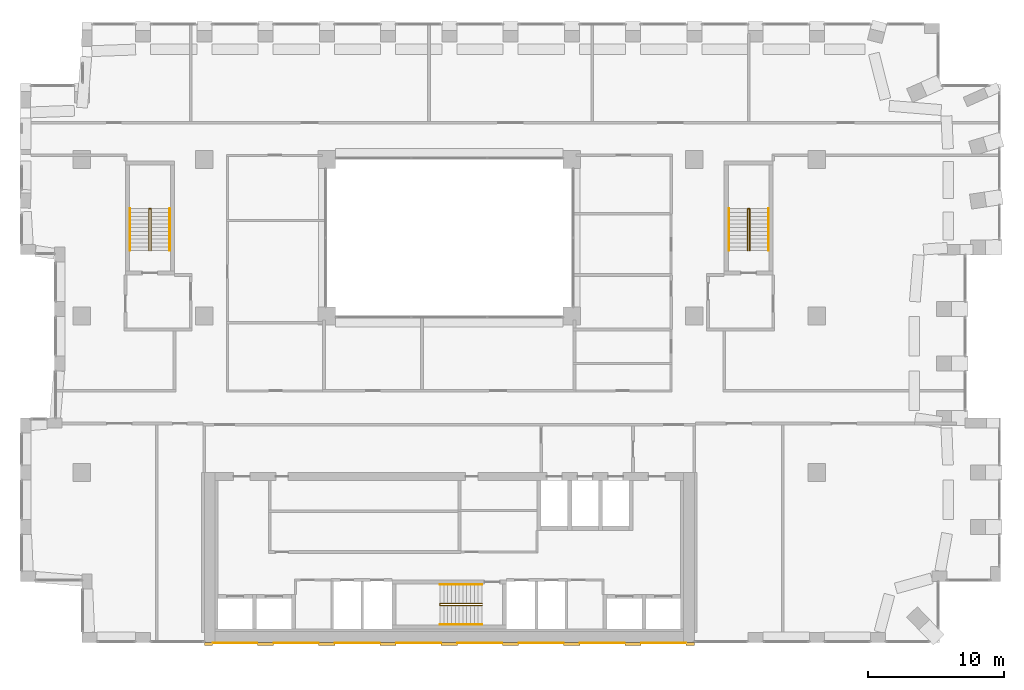
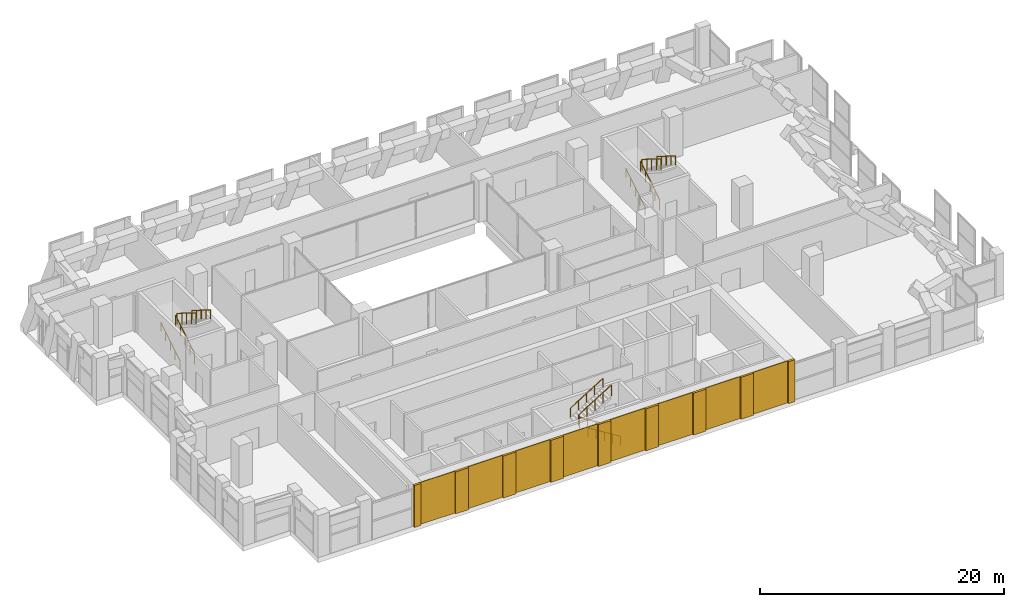
# One storey, part 20 of 20: 17 coverings, 9 railings.
"""IFC4 building model written with IfcOpenShell, lengths in metres."""

from ifc_helpers import new_model, si_unit, direction, frame, origin, origin_2d, place, context, subcontext, project, spatial, rectangle, circle, extrude, material, layer, layer_set, type_object, element, save


model = new_model("IFC4")

# Units and contexts
model_context = context("Model", 3, precision=1e-05, world=origin(), true_north=direction((0.0, 1.0)))
body_context = subcontext(model_context, "Body", "Model", "MODEL_VIEW")
ifc_project = project(units=[si_unit("LENGTHUNIT", "METRE"), si_unit("AREAUNIT", "SQUARE_METRE"), si_unit("VOLUMEUNIT", "CUBIC_METRE"), si_unit("PLANEANGLEUNIT", "RADIAN"), si_unit("MASSUNIT", "GRAM", prefix="KILO")], contexts=[model_context])

# Site, building, storey
site_placement = place(None, origin())
site = spatial("IfcSite", under=ifc_project, at=site_placement, CompositionType="ELEMENT")
building_placement = place(site_placement, origin())
building = spatial("IfcBuilding", under=site, at=building_placement, Name="Brigalow Station Residences", CompositionType="ELEMENT")
storey_placement = place(building_placement, frame((0.0, 0.0, 137.10009765625)))
storey = spatial("IfcBuildingStorey", under=building, at=storey_placement, Name="L39", CompositionType="ELEMENT", Elevation=137.10009765625)

# Coverings
ifc_material_1 = material(Name="Clay brick masonry", Category="masonry")
ifc_layer_1 = layer(ifc_material_1, 0.06005859375)
ifc_layer_set_1 = layer_set([ifc_layer_1], Name="BRICK PANEL FACING 60")
covering_type_1 = type_object("IfcCoveringType", Name="BRICK PANEL FACING 60", PredefinedType="CLADDING", material=ifc_layer_set_1)
for number, where, z_axis, x_axis, name in (
    (1, (20.25, -0.030029296875, 0.0), (0.0, 0.0, 1.0), (1.0, 0.0, 0.0), "L39/rear-facing/panel-1"),
    (2, (24.75, -0.030029296875, 0.0), (0.0, 0.0, 1.0), (1.0, 0.0, 0.0), "L39/rear-facing/panel-2"),
    (3, (29.25, -0.030029296875, 0.0), (0.0, 0.0, 1.0), (1.0, 0.0, 0.0), "L39/rear-facing/panel-3"),
    (4, (33.75, -0.030029296875, 0.0), (0.0, 0.0, 1.0), (1.0, 0.0, 0.0), "L39/rear-facing/panel-4"),
    (5, (38.25, -0.030029296875, 0.0), (0.0, 0.0, 1.0), (1.0, 0.0, 0.0), "L39/rear-facing/panel-5"),
    (6, (42.75, -0.030029296875, 0.0), (0.0, 0.0, 1.0), (1.0, 0.0, 0.0), "L39/rear-facing/panel-6"),
    (7, (47.25, -0.030029296875, 0.0), (0.0, 0.0, 1.0), (1.0, 0.0, 0.0), "L39/rear-facing/panel-7"),
    (8, (51.75, -0.030029296875, 0.0), (0.0, 0.0, 1.0), (1.0, 0.0, 0.0), "L39/rear-facing/panel-8"),
):
    element("IfcCovering", number, at=place(storey_placement, frame(where, z_axis=z_axis, x_axis=x_axis)), inside=storey, type_object=covering_type_1, Name=name, PredefinedType="CLADDING", context=body_context, shape_type="SweptSolid", body=[
        extrude(rectangle(XDim=3.300048828125, YDim=0.06005859375, at=origin_2d()), origin(), (0.0, 0.0, 1.0), 4.199951171875),
    ])
ifc_material_2 = material(Name="Clay brick masonry", Category="masonry")
ifc_layer_2 = layer(ifc_material_2, 0.199951171875)
ifc_layer_set_2 = layer_set([ifc_layer_2], Name="BRICK PIER FACING 200")
covering_type_2 = type_object("IfcCoveringType", Name="BRICK PIER FACING 200", PredefinedType="CLADDING", material=ifc_layer_set_2)
covering_1_placement = place(storey_placement, frame((18.300048828125, -0.10009765625, 0.0), z_axis=(0.0, 0.0, 1.0), x_axis=(1.0, 0.0, 0.0)))
element("IfcCovering", 9, at=covering_1_placement, inside=storey, type_object=covering_type_2, Name="L39/rear-facing/pier-1", PredefinedType="CLADDING", context=body_context, shape_type="SweptSolid", body=[
    extrude(rectangle(XDim=0.60009765625, YDim=0.199951171875, at=origin_2d()), origin(), (0.0, 0.0, 1.0), 4.199951171875),
])
for number, where, z_axis, x_axis, name in (
    (10, (22.5, -0.10009765625, 0.0), (0.0, 0.0, 1.0), (1.0, 0.0, 0.0), "L39/rear-facing/pier-2"),
    (11, (27.0, -0.10009765625, 0.0), (0.0, 0.0, 1.0), (1.0, 0.0, 0.0), "L39/rear-facing/pier-3"),
    (12, (31.5, -0.10009765625, 0.0), (0.0, 0.0, 1.0), (1.0, 0.0, 0.0), "L39/rear-facing/pier-4"),
    (13, (36.0, -0.10009765625, 0.0), (0.0, 0.0, 1.0), (1.0, 0.0, 0.0), "L39/rear-facing/pier-5"),
    (14, (40.5, -0.10009765625, 0.0), (0.0, 0.0, 1.0), (1.0, 0.0, 0.0), "L39/rear-facing/pier-6"),
    (15, (45.0, -0.10009765625, 0.0), (0.0, 0.0, 1.0), (1.0, 0.0, 0.0), "L39/rear-facing/pier-7"),
    (16, (49.5, -0.10009765625, 0.0), (0.0, 0.0, 1.0), (1.0, 0.0, 0.0), "L39/rear-facing/pier-8"),
):
    element("IfcCovering", number, at=place(storey_placement, frame(where, z_axis=z_axis, x_axis=x_axis)), inside=storey, type_object=covering_type_2, Name=name, PredefinedType="CLADDING", context=body_context, shape_type="SweptSolid", body=[
        extrude(rectangle(XDim=1.199951171875, YDim=0.199951171875, at=origin_2d()), origin(), (0.0, 0.0, 1.0), 4.199951171875),
    ])
covering_2_placement = place(storey_placement, frame((53.699951171875, -0.10009765625, 0.0), z_axis=(0.0, 0.0, 1.0), x_axis=(1.0, 0.0, 0.0)))
element("IfcCovering", 17, at=covering_2_placement, inside=storey, type_object=covering_type_2, Name="L39/rear-facing/pier-9", PredefinedType="CLADDING", context=body_context, shape_type="SweptSolid", body=[
    extrude(rectangle(XDim=0.60009765625, YDim=0.199951171875, at=origin_2d()), origin(), (0.0, 0.0, 1.0), 4.199951171875),
])

# Railings
ifc_material_3 = material(Name="Stainless steel balustrade", Category="steel")
railing_type_1 = type_object("IfcRailingType", Name="STAIR GUARD 1100", PredefinedType="GUARDRAIL", material=ifc_material_3)
railing_1_placement = place(storey_placement, frame((38.39990234375, 2.72998046875, 0.1748046875)))
element("IfcRailing", 18, at=railing_1_placement, inside=storey, type_object=railing_type_1, Name="GUARD GR-2", PredefinedType="GUARDRAIL", context=body_context, shape_type="SweptSolid", body=[
    extrude(circle(Radius=0.02392578125, at=origin_2d()), frame((0.0, 0.0, 1.076171875), z_axis=(-0.847979421464, 0.0, 0.530029150871), x_axis=(0.0, -1.0, 0.0)), (0.0, 0.0, 1.0), 3.632080078125),
    extrude(circle(Radius=0.02392578125, at=origin_2d()), frame((-3.079833984375, 0.0, 3.0009765625), z_axis=(0.0, 0.624960567888, 0.780656319122), x_axis=(-1.0, 0.0, 0.0)), (0.0, 0.0, 1.0), 0.22412109375),
    extrude(circle(Radius=0.02392578125, at=origin_2d()), frame((-3.079833984375, 0.14013671875, 3.17626953125), z_axis=(0.847979421464, 0.0, 0.530029150871), x_axis=(0.0, 1.0, 0.0)), (0.0, 0.0, 1.0), 3.632080078125),
    extrude(circle(Radius=0.02099609375, at=origin_2d()), origin(), (0.0, 0.0, 1.0), 1.052001953125),
    extrude(circle(Radius=0.02099609375, at=origin_2d()), frame((-0.77001953125, 0.0, 0.481201171875)), (0.0, 0.0, 1.0), 1.052001953125),
    extrude(circle(Radius=0.02099609375, at=origin_2d()), frame((-1.5400390625, 0.0, 0.96240234375)), (0.0, 0.0, 1.0), 1.052001953125),
    extrude(circle(Radius=0.02099609375, at=origin_2d()), frame((-2.309814453125, 0.0, 1.44384765625)), (0.0, 0.0, 1.0), 1.052001953125),
    extrude(circle(Radius=0.02099609375, at=origin_2d()), frame((-3.079833984375, 0.0, 1.925048828125)), (0.0, 0.0, 1.0), 1.052001953125),
    extrude(circle(Radius=0.02099609375, at=origin_2d()), frame((-3.079833984375, 0.14013671875, 2.10009765625)), (0.0, 0.0, 1.0), 1.052001953125),
    extrude(circle(Radius=0.02099609375, at=origin_2d()), frame((-2.309814453125, 0.14013671875, 2.581298828125)), (0.0, 0.0, 1.0), 1.052001953125),
    extrude(circle(Radius=0.02099609375, at=origin_2d()), frame((-1.5400390625, 0.14013671875, 3.0625)), (0.0, 0.0, 1.0), 1.052001953125),
    extrude(circle(Radius=0.02099609375, at=origin_2d()), frame((-0.77001953125, 0.14013671875, 3.5439453125)), (0.0, 0.0, 1.0), 1.052001953125),
    extrude(circle(Radius=0.02099609375, at=origin_2d()), frame((0.0, 0.14013671875, 4.025146484375)), (0.0, 0.0, 1.0), 1.052001953125),
])
railing_2_placement = place(storey_placement, frame((13.929931640625, 28.800048828125, 0.1748046875)))
element("IfcRailing", 19, at=railing_2_placement, inside=storey, type_object=railing_type_1, Name="GUARD GR-1", PredefinedType="GUARDRAIL", context=body_context, shape_type="SweptSolid", body=[
    extrude(circle(Radius=0.02392578125, at=origin_2d()), frame((0.0, 0.0, 1.076171875), z_axis=(0.0, 0.847979421464, 0.530029150871), x_axis=(-1.0, 0.0, 0.0)), (0.0, 0.0, 1.0), 3.632080078125),
    extrude(circle(Radius=0.02392578125, at=origin_2d()), frame((0.0, 3.079833984375, 3.0009765625), z_axis=(0.624960567888, 0.0, 0.780656319122), x_axis=(0.0, 1.0, 0.0)), (0.0, 0.0, 1.0), 0.22412109375),
    extrude(circle(Radius=0.02392578125, at=origin_2d()), frame((0.14013671875, 3.079833984375, 3.17626953125), z_axis=(0.0, -0.847979421464, 0.530029150871), x_axis=(1.0, 0.0, 0.0)), (0.0, 0.0, 1.0), 3.632080078125),
    extrude(circle(Radius=0.02099609375, at=origin_2d()), origin(), (0.0, 0.0, 1.0), 1.052001953125),
    extrude(circle(Radius=0.02099609375, at=origin_2d()), frame((0.0, 0.77001953125, 0.481201171875)), (0.0, 0.0, 1.0), 1.052001953125),
    extrude(circle(Radius=0.02099609375, at=origin_2d()), frame((0.0, 1.5400390625, 0.96240234375)), (0.0, 0.0, 1.0), 1.052001953125),
    extrude(circle(Radius=0.02099609375, at=origin_2d()), frame((0.0, 2.309814453125, 1.44384765625)), (0.0, 0.0, 1.0), 1.052001953125),
    extrude(circle(Radius=0.02099609375, at=origin_2d()), frame((0.0, 3.079833984375, 1.925048828125)), (0.0, 0.0, 1.0), 1.052001953125),
    extrude(circle(Radius=0.02099609375, at=origin_2d()), frame((0.14013671875, 3.079833984375, 2.10009765625)), (0.0, 0.0, 1.0), 1.052001953125),
    extrude(circle(Radius=0.02099609375, at=origin_2d()), frame((0.14013671875, 2.309814453125, 2.581298828125)), (0.0, 0.0, 1.0), 1.052001953125),
    extrude(circle(Radius=0.02099609375, at=origin_2d()), frame((0.14013671875, 1.5400390625, 3.0625)), (0.0, 0.0, 1.0), 1.052001953125),
    extrude(circle(Radius=0.02099609375, at=origin_2d()), frame((0.14013671875, 0.77001953125, 3.5439453125)), (0.0, 0.0, 1.0), 1.052001953125),
    extrude(circle(Radius=0.02099609375, at=origin_2d()), frame((0.14013671875, 0.0, 4.025146484375)), (0.0, 0.0, 1.0), 1.052001953125),
])
railing_3_placement = place(storey_placement, frame((57.929931640625, 28.800048828125, 0.1748046875)))
element("IfcRailing", 20, at=railing_3_placement, inside=storey, type_object=railing_type_1, Name="GUARD GR-3", PredefinedType="GUARDRAIL", context=body_context, shape_type="SweptSolid", body=[
    extrude(circle(Radius=0.02392578125, at=origin_2d()), frame((0.0, 0.0, 1.076171875), z_axis=(0.0, 0.847979421464, 0.530029150871), x_axis=(-1.0, 0.0, 0.0)), (0.0, 0.0, 1.0), 3.632080078125),
    extrude(circle(Radius=0.02392578125, at=origin_2d()), frame((0.0, 3.079833984375, 3.0009765625), z_axis=(0.624960567888, 0.0, 0.780656319122), x_axis=(0.0, 1.0, 0.0)), (0.0, 0.0, 1.0), 0.22412109375),
    extrude(circle(Radius=0.02392578125, at=origin_2d()), frame((0.14013671875, 3.079833984375, 3.17626953125), z_axis=(0.0, -0.847979421464, 0.530029150871), x_axis=(1.0, 0.0, 0.0)), (0.0, 0.0, 1.0), 3.632080078125),
    extrude(circle(Radius=0.02099609375, at=origin_2d()), origin(), (0.0, 0.0, 1.0), 1.052001953125),
    extrude(circle(Radius=0.02099609375, at=origin_2d()), frame((0.0, 0.77001953125, 0.481201171875)), (0.0, 0.0, 1.0), 1.052001953125),
    extrude(circle(Radius=0.02099609375, at=origin_2d()), frame((0.0, 1.5400390625, 0.96240234375)), (0.0, 0.0, 1.0), 1.052001953125),
    extrude(circle(Radius=0.02099609375, at=origin_2d()), frame((0.0, 2.309814453125, 1.44384765625)), (0.0, 0.0, 1.0), 1.052001953125),
    extrude(circle(Radius=0.02099609375, at=origin_2d()), frame((0.0, 3.079833984375, 1.925048828125)), (0.0, 0.0, 1.0), 1.052001953125),
    extrude(circle(Radius=0.02099609375, at=origin_2d()), frame((0.14013671875, 3.079833984375, 2.10009765625)), (0.0, 0.0, 1.0), 1.052001953125),
    extrude(circle(Radius=0.02099609375, at=origin_2d()), frame((0.14013671875, 2.309814453125, 2.581298828125)), (0.0, 0.0, 1.0), 1.052001953125),
    extrude(circle(Radius=0.02099609375, at=origin_2d()), frame((0.14013671875, 1.5400390625, 3.0625)), (0.0, 0.0, 1.0), 1.052001953125),
    extrude(circle(Radius=0.02099609375, at=origin_2d()), frame((0.14013671875, 0.77001953125, 3.5439453125)), (0.0, 0.0, 1.0), 1.052001953125),
    extrude(circle(Radius=0.02099609375, at=origin_2d()), frame((0.14013671875, 0.0, 4.025146484375)), (0.0, 0.0, 1.0), 1.052001953125),
])
ifc_material_4 = material(Name="Stainless steel handrail", Category="steel")
railing_type_2 = type_object("IfcRailingType", Name="STAIR HANDRAIL 900", PredefinedType="HANDRAIL", material=ifc_material_4)
railing_4_placement = place(storey_placement, frame((38.39990234375, 1.340087890625, 0.1748046875)))
element("IfcRailing", 21, at=railing_4_placement, inside=storey, type_object=railing_type_2, Name="HANDRAIL HR-21", PredefinedType="HANDRAIL", context=body_context, shape_type="SweptSolid", body=[
    extrude(circle(Radius=0.02392578125, at=origin_2d()), frame((0.0, 0.0, 0.8759765625), z_axis=(-0.847979421464, 0.0, 0.530029150871), x_axis=(0.0, -1.0, 0.0)), (0.0, 0.0, 1.0), 3.632080078125),
    extrude(circle(Radius=0.02099609375, at=origin_2d()), origin(), (0.0, 0.0, 1.0), 0.851806640625),
    extrude(circle(Radius=0.02099609375, at=origin_2d()), frame((-0.77001953125, 0.0, 0.481201171875)), (0.0, 0.0, 1.0), 0.851806640625),
    extrude(circle(Radius=0.02099609375, at=origin_2d()), frame((-1.5400390625, 0.0, 0.96240234375)), (0.0, 0.0, 1.0), 0.851806640625),
    extrude(circle(Radius=0.02099609375, at=origin_2d()), frame((-2.309814453125, 0.0, 1.44384765625)), (0.0, 0.0, 1.0), 0.851806640625),
    extrude(circle(Radius=0.02099609375, at=origin_2d()), frame((-3.079833984375, 0.0, 1.925048828125)), (0.0, 0.0, 1.0), 0.851806640625),
])
railing_5_placement = place(storey_placement, frame((35.320068359375, 4.260009765625, 2.27490234375)))
element("IfcRailing", 22, at=railing_5_placement, inside=storey, type_object=railing_type_2, Name="HANDRAIL HR-22", PredefinedType="HANDRAIL", context=body_context, shape_type="SweptSolid", body=[
    extrude(circle(Radius=0.02392578125, at=origin_2d()), frame((0.0, 0.0, 0.8759765625), z_axis=(0.847979421464, 0.0, 0.530029150871), x_axis=(0.0, 1.0, 0.0)), (0.0, 0.0, 1.0), 3.632080078125),
    extrude(circle(Radius=0.02099609375, at=origin_2d()), origin(), (0.0, 0.0, 1.0), 0.851806640625),
    extrude(circle(Radius=0.02099609375, at=origin_2d()), frame((0.77001953125, 0.0, 0.481201171875)), (0.0, 0.0, 1.0), 0.851806640625),
    extrude(circle(Radius=0.02099609375, at=origin_2d()), frame((1.5400390625, 0.0, 0.96240234375)), (0.0, 0.0, 1.0), 0.851806640625),
    extrude(circle(Radius=0.02099609375, at=origin_2d()), frame((2.309814453125, 0.0, 1.44384765625)), (0.0, 0.0, 1.0), 0.851806640625),
    extrude(circle(Radius=0.02099609375, at=origin_2d()), frame((3.079833984375, 0.0, 1.925048828125)), (0.0, 0.0, 1.0), 0.851806640625),
])
railing_6_placement = place(storey_placement, frame((12.5400390625, 28.800048828125, 0.1748046875)))
element("IfcRailing", 23, at=railing_6_placement, inside=storey, type_object=railing_type_2, Name="HANDRAIL HR-11", PredefinedType="HANDRAIL", context=body_context, shape_type="SweptSolid", body=[
    extrude(circle(Radius=0.02392578125, at=origin_2d()), frame((0.0, 0.0, 0.8759765625), z_axis=(0.0, 0.847979421464, 0.530029150871), x_axis=(-1.0, 0.0, 0.0)), (0.0, 0.0, 1.0), 3.632080078125),
    extrude(circle(Radius=0.02099609375, at=origin_2d()), origin(), (0.0, 0.0, 1.0), 0.851806640625),
    extrude(circle(Radius=0.02099609375, at=origin_2d()), frame((0.0, 0.77001953125, 0.481201171875)), (0.0, 0.0, 1.0), 0.851806640625),
    extrude(circle(Radius=0.02099609375, at=origin_2d()), frame((0.0, 1.5400390625, 0.96240234375)), (0.0, 0.0, 1.0), 0.851806640625),
    extrude(circle(Radius=0.02099609375, at=origin_2d()), frame((0.0, 2.309814453125, 1.44384765625)), (0.0, 0.0, 1.0), 0.851806640625),
    extrude(circle(Radius=0.02099609375, at=origin_2d()), frame((0.0, 3.079833984375, 1.925048828125)), (0.0, 0.0, 1.0), 0.851806640625),
])
railing_7_placement = place(storey_placement, frame((15.4599609375, 31.8798828125, 2.27490234375)))
element("IfcRailing", 24, at=railing_7_placement, inside=storey, type_object=railing_type_2, Name="HANDRAIL HR-12", PredefinedType="HANDRAIL", context=body_context, shape_type="SweptSolid", body=[
    extrude(circle(Radius=0.02392578125, at=origin_2d()), frame((0.0, 0.0, 0.8759765625), z_axis=(0.0, -0.847979421464, 0.530029150871), x_axis=(1.0, 0.0, 0.0)), (0.0, 0.0, 1.0), 3.632080078125),
    extrude(circle(Radius=0.02099609375, at=origin_2d()), origin(), (0.0, 0.0, 1.0), 0.851806640625),
    extrude(circle(Radius=0.02099609375, at=origin_2d()), frame((0.0, -0.77001953125, 0.481201171875)), (0.0, 0.0, 1.0), 0.851806640625),
    extrude(circle(Radius=0.02099609375, at=origin_2d()), frame((0.0, -1.5400390625, 0.96240234375)), (0.0, 0.0, 1.0), 0.851806640625),
    extrude(circle(Radius=0.02099609375, at=origin_2d()), frame((0.0, -2.309814453125, 1.44384765625)), (0.0, 0.0, 1.0), 0.851806640625),
    extrude(circle(Radius=0.02099609375, at=origin_2d()), frame((0.0, -3.079833984375, 1.925048828125)), (0.0, 0.0, 1.0), 0.851806640625),
])
railing_8_placement = place(storey_placement, frame((56.5400390625, 28.800048828125, 0.1748046875)))
element("IfcRailing", 25, at=railing_8_placement, inside=storey, type_object=railing_type_2, Name="HANDRAIL HR-31", PredefinedType="HANDRAIL", context=body_context, shape_type="SweptSolid", body=[
    extrude(circle(Radius=0.02392578125, at=origin_2d()), frame((0.0, 0.0, 0.8759765625), z_axis=(0.0, 0.847979421464, 0.530029150871), x_axis=(-1.0, 0.0, 0.0)), (0.0, 0.0, 1.0), 3.632080078125),
    extrude(circle(Radius=0.02099609375, at=origin_2d()), origin(), (0.0, 0.0, 1.0), 0.851806640625),
    extrude(circle(Radius=0.02099609375, at=origin_2d()), frame((0.0, 0.77001953125, 0.481201171875)), (0.0, 0.0, 1.0), 0.851806640625),
    extrude(circle(Radius=0.02099609375, at=origin_2d()), frame((0.0, 1.5400390625, 0.96240234375)), (0.0, 0.0, 1.0), 0.851806640625),
    extrude(circle(Radius=0.02099609375, at=origin_2d()), frame((0.0, 2.309814453125, 1.44384765625)), (0.0, 0.0, 1.0), 0.851806640625),
    extrude(circle(Radius=0.02099609375, at=origin_2d()), frame((0.0, 3.079833984375, 1.925048828125)), (0.0, 0.0, 1.0), 0.851806640625),
])
railing_9_placement = place(storey_placement, frame((59.4599609375, 31.8798828125, 2.27490234375)))
element("IfcRailing", 26, at=railing_9_placement, inside=storey, type_object=railing_type_2, Name="HANDRAIL HR-32", PredefinedType="HANDRAIL", context=body_context, shape_type="SweptSolid", body=[
    extrude(circle(Radius=0.02392578125, at=origin_2d()), frame((0.0, 0.0, 0.8759765625), z_axis=(0.0, -0.847979421464, 0.530029150871), x_axis=(1.0, 0.0, 0.0)), (0.0, 0.0, 1.0), 3.632080078125),
    extrude(circle(Radius=0.02099609375, at=origin_2d()), origin(), (0.0, 0.0, 1.0), 0.851806640625),
    extrude(circle(Radius=0.02099609375, at=origin_2d()), frame((0.0, -0.77001953125, 0.481201171875)), (0.0, 0.0, 1.0), 0.851806640625),
    extrude(circle(Radius=0.02099609375, at=origin_2d()), frame((0.0, -1.5400390625, 0.96240234375)), (0.0, 0.0, 1.0), 0.851806640625),
    extrude(circle(Radius=0.02099609375, at=origin_2d()), frame((0.0, -2.309814453125, 1.44384765625)), (0.0, 0.0, 1.0), 0.851806640625),
    extrude(circle(Radius=0.02099609375, at=origin_2d()), frame((0.0, -3.079833984375, 1.925048828125)), (0.0, 0.0, 1.0), 0.851806640625),
])

save(model, "model.ifc")
